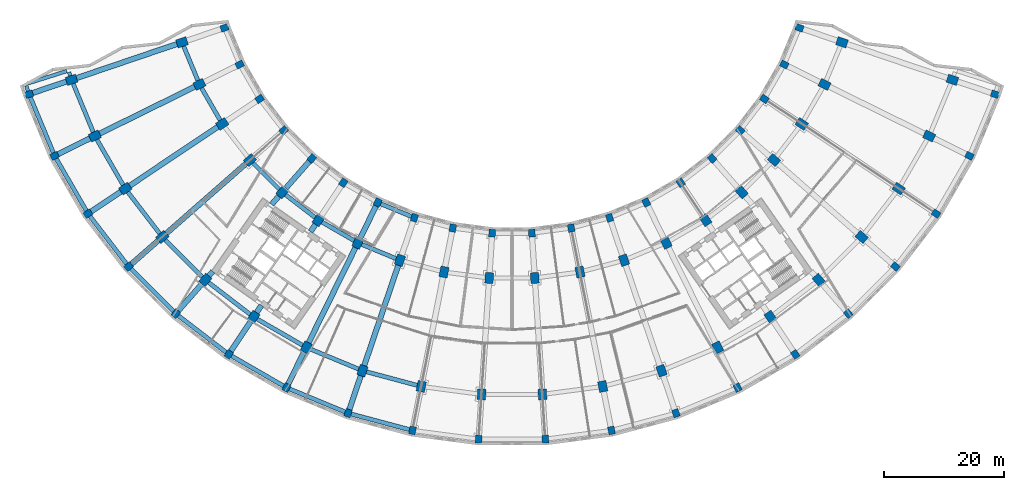
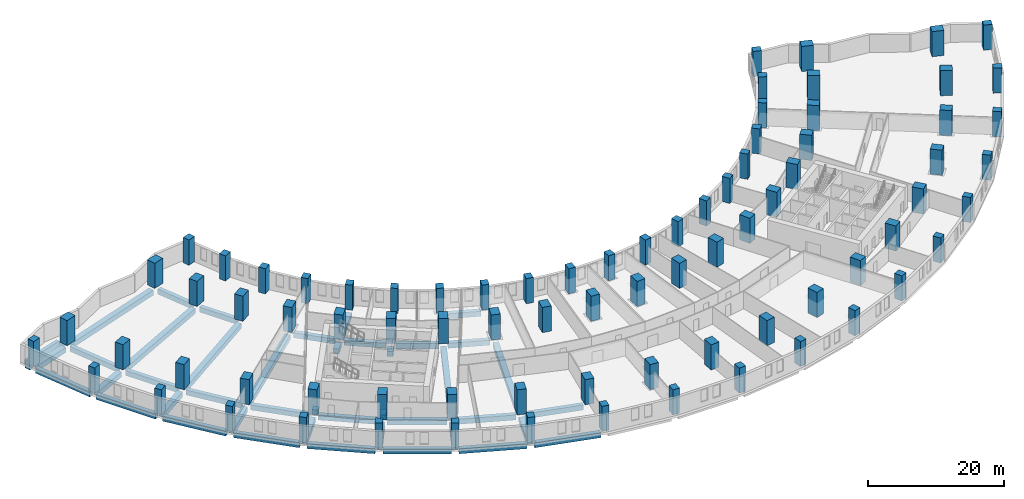
# One storey, part 1 of 20: 80 columns, 46 beams.
"""IFC4 building model written with IfcOpenShell, lengths in metres."""

from ifc_helpers import new_model, si_unit, direction, frame, origin, origin_2d, place, context, subcontext, project, spatial, rectangle, extrude, material, material_profile, profile_set, type_object, element, save


model = new_model("IFC4")

# Units and contexts
model_context = context("Model", 3, precision=1e-05, world=origin(), true_north=direction((0.0, 1.0)))
body_context = subcontext(model_context, "Body", "Model", "MODEL_VIEW")
ifc_project = project(units=[si_unit("LENGTHUNIT", "METRE"), si_unit("AREAUNIT", "SQUARE_METRE"), si_unit("VOLUMEUNIT", "CUBIC_METRE"), si_unit("PLANEANGLEUNIT", "RADIAN"), si_unit("MASSUNIT", "GRAM", prefix="KILO")], contexts=[model_context])

# Site, building, storey
site_placement = place(None, origin())
site = spatial("IfcSite", under=ifc_project, at=site_placement, CompositionType="ELEMENT")
building_placement = place(site_placement, origin())
building = spatial("IfcBuilding", under=site, at=building_placement, Name="Qamariyya Broadcast Tower", CompositionType="ELEMENT")
storey_placement = place(building_placement, frame((0.0, 0.0, 27.0)))
storey = spatial("IfcBuildingStorey", under=building, at=storey_placement, Name="L03", CompositionType="ELEMENT", Elevation=27.0)

# Columns
ifc_material_1 = material(Name="Concrete C70/85", Category="concrete")
ifc_material_profile_1 = material_profile(ifc_material_1, rectangle(XDim=1.10009765625, YDim=1.300048828125, at=origin_2d()))
ifc_profile_set_1 = profile_set([ifc_material_profile_1], Name="Concrete C70/85")
column_type_1 = type_object("IfcColumnType", Name="RC column 1100 x 1300 C70/85", PredefinedType="COLUMN", material=ifc_profile_set_1)
for number, where, z_axis, x_axis, name in (
    (1, (-48.056640625, -16.31298828125, 0.0), (0.0, 0.0, 1.0), (0.321439465303, -0.946930129495, 0.0), "Column C3 L03 A-R01"),
    (2, (-80.725830078125, -27.40283203125, 0.0), (0.0, 0.0, 1.0), (0.321439465303, -0.946930129495, 0.0), "Column C3 L03 D-R01"),
    (3, (-45.516357421875, -22.446044921875, 0.0), (0.0, 0.0, 1.0), (0.442288690219, -0.896872741533, 0.0), "Column C3 L03 A-R02"),
    (4, (-76.45849609375, -37.705078125, 0.0), (0.0, 0.0, 1.0), (0.442288690219, -0.896872741533, 0.0), "Column C3 L03 D-R02"),
    (5, (-42.197021484375, -28.195068359375, 0.0), (0.0, 0.0, 1.0), (0.55557023302, -0.831469612303, 0.0), "Column C3 L03 A-R03"),
    (6, (-70.8828125, -47.3623046875, 0.0), (0.0, 0.0, 1.0), (0.55557023302, -0.831469612303, 0.0), "Column C3 L03 D-R03"),
    (7, (-38.15576171875, -33.4619140625, 0.0), (0.0, 0.0, 1.0), (0.6593458151, -0.751839807479, 0.0), "Column C3 L03 A-R04"),
    (8, (-64.09423828125, -56.209228515625, 0.0), (0.0, 0.0, 1.0), (0.6593458151, -0.751839807479, 0.0), "Column C3 L03 D-R04"),
    (9, (-33.4619140625, -38.15576171875, 0.0), (0.0, 0.0, 1.0), (0.751839807479, -0.6593458151, 0.0), "Column C3 L03 A-R05"),
    (10, (-56.209228515625, -64.09423828125, 0.0), (0.0, 0.0, 1.0), (0.751839807479, -0.6593458151, 0.0), "Column C3 L03 D-R05"),
    (11, (-28.195068359375, -42.197021484375, 0.0), (0.0, 0.0, 1.0), (0.831469612303, -0.55557023302, 0.0), "Column C3 L03 A-R06"),
    (12, (-47.3623046875, -70.8828125, 0.0), (0.0, 0.0, 1.0), (0.831469612303, -0.55557023302, 0.0), "Column C3 L03 D-R06"),
    (13, (-22.446044921875, -45.516357421875, 0.0), (0.0, 0.0, 1.0), (0.896872741533, -0.442288690219, 0.0), "Column C3 L03 A-R07"),
    (14, (-37.705078125, -76.45849609375, 0.0), (0.0, 0.0, 1.0), (0.896872741533, -0.442288690219, 0.0), "Column C3 L03 D-R07"),
    (15, (-16.31298828125, -48.056640625, 0.0), (0.0, 0.0, 1.0), (0.946930129495, -0.321439465303, 0.0), "Column C3 L03 A-R08"),
    (16, (-27.40283203125, -80.725830078125, 0.0), (0.0, 0.0, 1.0), (0.946930129495, -0.321439465303, 0.0), "Column C3 L03 D-R08"),
    (17, (-9.90087890625, -49.77490234375, 0.0), (0.0, 0.0, 1.0), (0.980785280403, -0.195090322016, 0.0), "Column C3 L03 A-R09"),
    (18, (-16.63134765625, -83.612060546875, 0.0), (0.0, 0.0, 1.0), (0.980785280403, -0.195090322016, 0.0), "Column C3 L03 D-R09"),
    (19, (-3.319091796875, -50.641357421875, 0.0), (0.0, 0.0, 1.0), (0.997858923239, -0.06540312923, 0.0), "Column C3 L03 A-R10"),
    (20, (-5.57568359375, -85.0673828125, 0.0), (0.0, 0.0, 1.0), (0.997858923239, -0.06540312923, 0.0), "Column C3 L03 D-R10"),
    (21, (3.319091796875, -50.641357421875, 0.0), (0.0, 0.0, 1.0), (0.997858923239, 0.06540312923, 0.0), "Column C3 L03 A-R11"),
    (22, (5.57568359375, -85.0673828125, 0.0), (0.0, 0.0, 1.0), (0.997858923239, 0.06540312923, 0.0), "Column C3 L03 D-R11"),
    (23, (9.90087890625, -49.77490234375, 0.0), (0.0, 0.0, 1.0), (0.980785280403, 0.195090322016, 0.0), "Column C3 L03 A-R12"),
    (24, (16.63134765625, -83.612060546875, 0.0), (0.0, 0.0, 1.0), (0.980785280403, 0.195090322016, 0.0), "Column C3 L03 D-R12"),
    (25, (16.31298828125, -48.056640625, 0.0), (0.0, 0.0, 1.0), (0.946930129495, 0.321439465303, 0.0), "Column C3 L03 A-R13"),
    (26, (27.40283203125, -80.725830078125, 0.0), (0.0, 0.0, 1.0), (0.946930129495, 0.321439465303, 0.0), "Column C3 L03 D-R13"),
    (27, (22.446044921875, -45.516357421875, 0.0), (0.0, 0.0, 1.0), (0.896872741533, 0.442288690219, 0.0), "Column C3 L03 A-R14"),
    (28, (37.705078125, -76.45849609375, 0.0), (0.0, 0.0, 1.0), (0.896872741533, 0.442288690219, 0.0), "Column C3 L03 D-R14"),
    (29, (28.195068359375, -42.197021484375, 0.0), (0.0, 0.0, 1.0), (0.831469612303, 0.55557023302, 0.0), "Column C3 L03 A-R15"),
    (30, (47.3623046875, -70.8828125, 0.0), (0.0, 0.0, 1.0), (0.831469612303, 0.55557023302, 0.0), "Column C3 L03 D-R15"),
    (31, (33.4619140625, -38.15576171875, 0.0), (0.0, 0.0, 1.0), (0.751839807479, 0.6593458151, 0.0), "Column C3 L03 A-R16"),
    (32, (56.209228515625, -64.09423828125, 0.0), (0.0, 0.0, 1.0), (0.751839807479, 0.6593458151, 0.0), "Column C3 L03 D-R16"),
    (33, (38.15576171875, -33.4619140625, 0.0), (0.0, 0.0, 1.0), (0.6593458151, 0.751839807479, 0.0), "Column C3 L03 A-R17"),
    (34, (64.09423828125, -56.209228515625, 0.0), (0.0, 0.0, 1.0), (0.6593458151, 0.751839807479, 0.0), "Column C3 L03 D-R17"),
    (35, (42.197021484375, -28.195068359375, 0.0), (0.0, 0.0, 1.0), (0.55557023302, 0.831469612303, 0.0), "Column C3 L03 A-R18"),
    (36, (70.8828125, -47.3623046875, 0.0), (0.0, 0.0, 1.0), (0.55557023302, 0.831469612303, 0.0), "Column C3 L03 D-R18"),
    (37, (45.516357421875, -22.446044921875, 0.0), (0.0, 0.0, 1.0), (0.442288690219, 0.896872741533, 0.0), "Column C3 L03 A-R19"),
    (38, (76.45849609375, -37.705078125, 0.0), (0.0, 0.0, 1.0), (0.442288690219, 0.896872741533, 0.0), "Column C3 L03 D-R19"),
    (39, (48.056640625, -16.31298828125, 0.0), (0.0, 0.0, 1.0), (0.321439465303, 0.946930129495, 0.0), "Column C3 L03 A-R20"),
    (40, (80.725830078125, -27.40283203125, 0.0), (0.0, 0.0, 1.0), (0.321439465303, 0.946930129495, 0.0), "Column C3 L03 D-R20"),
):
    element("IfcColumn", number, at=place(storey_placement, frame(where, z_axis=z_axis, x_axis=x_axis)), inside=storey, type_object=column_type_1, Name=name, PredefinedType="COLUMN", context=body_context, shape_type="SweptSolid", body=[
        extrude(rectangle(XDim=1.10009765625, YDim=1.300048828125, at=origin_2d()), origin(), (0.0, 0.0, 1.0), 4.5),
    ])
ifc_material_profile_2 = material_profile(ifc_material_1, rectangle(XDim=1.39990234375, YDim=1.800048828125, at=origin_2d()))
ifc_profile_set_2 = profile_set([ifc_material_profile_2], Name="Concrete C70/85")
column_type_2 = type_object("IfcColumnType", Name="RC column 1400 x 1800 C70/85", PredefinedType="COLUMN", material=ifc_profile_set_2)
for number, where, z_axis, x_axis, name in (
    (41, (-55.15869140625, -18.723876953125, 0.0), (0.0, 0.0, 1.0), (0.321439465303, -0.946930129495, 0.0), "Column C4 L03 B-R01"),
    (42, (-73.623779296875, -24.991943359375, 0.0), (0.0, 0.0, 1.0), (0.321439465303, -0.946930129495, 0.0), "Column C4 L03 C-R01"),
    (43, (-52.242919921875, -25.763427734375, 0.0), (0.0, 0.0, 1.0), (0.442288690219, -0.896872741533, 0.0), "Column C4 L03 B-R02"),
    (44, (-69.73193359375, -34.387939453125, 0.0), (0.0, 0.0, 1.0), (0.442288690219, -0.896872741533, 0.0), "Column C4 L03 C-R02"),
    (45, (-48.43310546875, -32.362060546875, 0.0), (0.0, 0.0, 1.0), (0.55557023302, -0.831469612303, 0.0), "Column C4 L03 B-R03"),
    (46, (-64.646728515625, -43.195556640625, 0.0), (0.0, 0.0, 1.0), (0.55557023302, -0.831469612303, 0.0), "Column C4 L03 C-R03"),
    (47, (-43.794677734375, -38.406982421875, 0.0), (0.0, 0.0, 1.0), (0.6593458151, -0.751839807479, 0.0), "Column C4 L03 B-R04"),
    (48, (-58.45556640625, -51.26416015625, 0.0), (0.0, 0.0, 1.0), (0.6593458151, -0.751839807479, 0.0), "Column C4 L03 C-R04"),
    (49, (-38.406982421875, -43.794677734375, 0.0), (0.0, 0.0, 1.0), (0.751839807479, -0.6593458151, 0.0), "Column C4 L03 B-R05"),
    (50, (-51.26416015625, -58.45556640625, 0.0), (0.0, 0.0, 1.0), (0.751839807479, -0.6593458151, 0.0), "Column C4 L03 C-R05"),
    (51, (-32.362060546875, -48.43310546875, 0.0), (0.0, 0.0, 1.0), (0.831469612303, -0.55557023302, 0.0), "Column C4 L03 B-R06"),
    (52, (-43.195556640625, -64.646728515625, 0.0), (0.0, 0.0, 1.0), (0.831469612303, -0.55557023302, 0.0), "Column C4 L03 C-R06"),
    (53, (-25.763427734375, -52.242919921875, 0.0), (0.0, 0.0, 1.0), (0.896872741533, -0.442288690219, 0.0), "Column C4 L03 B-R07"),
    (54, (-34.387939453125, -69.73193359375, 0.0), (0.0, 0.0, 1.0), (0.896872741533, -0.442288690219, 0.0), "Column C4 L03 C-R07"),
    (55, (-18.723876953125, -55.15869140625, 0.0), (0.0, 0.0, 1.0), (0.946930129495, -0.321439465303, 0.0), "Column C4 L03 B-R08"),
    (56, (-24.991943359375, -73.623779296875, 0.0), (0.0, 0.0, 1.0), (0.946930129495, -0.321439465303, 0.0), "Column C4 L03 C-R08"),
    (57, (-11.364013671875, -57.130859375, 0.0), (0.0, 0.0, 1.0), (0.980785280403, -0.195090322016, 0.0), "Column C4 L03 B-R09"),
    (58, (-15.168212890625, -76.256103515625, 0.0), (0.0, 0.0, 1.0), (0.980785280403, -0.195090322016, 0.0), "Column C4 L03 C-R09"),
    (59, (-3.809814453125, -58.125244140625, 0.0), (0.0, 0.0, 1.0), (0.997858923239, -0.06540312923, 0.0), "Column C4 L03 B-R10"),
    (60, (-5.085205078125, -77.58349609375, 0.0), (0.0, 0.0, 1.0), (0.997858923239, -0.06540312923, 0.0), "Column C4 L03 C-R10"),
    (61, (3.809814453125, -58.125244140625, 0.0), (0.0, 0.0, 1.0), (0.997858923239, 0.06540312923, 0.0), "Column C4 L03 B-R11"),
    (62, (5.085205078125, -77.58349609375, 0.0), (0.0, 0.0, 1.0), (0.997858923239, 0.06540312923, 0.0), "Column C4 L03 C-R11"),
    (63, (11.364013671875, -57.130859375, 0.0), (0.0, 0.0, 1.0), (0.980785280403, 0.195090322016, 0.0), "Column C4 L03 B-R12"),
    (64, (15.168212890625, -76.256103515625, 0.0), (0.0, 0.0, 1.0), (0.980785280403, 0.195090322016, 0.0), "Column C4 L03 C-R12"),
    (65, (18.723876953125, -55.15869140625, 0.0), (0.0, 0.0, 1.0), (0.946930129495, 0.321439465303, 0.0), "Column C4 L03 B-R13"),
    (66, (24.991943359375, -73.623779296875, 0.0), (0.0, 0.0, 1.0), (0.946930129495, 0.321439465303, 0.0), "Column C4 L03 C-R13"),
    (67, (25.763427734375, -52.242919921875, 0.0), (0.0, 0.0, 1.0), (0.896872741533, 0.442288690219, 0.0), "Column C4 L03 B-R14"),
    (68, (34.387939453125, -69.73193359375, 0.0), (0.0, 0.0, 1.0), (0.896872741533, 0.442288690219, 0.0), "Column C4 L03 C-R14"),
    (69, (32.362060546875, -48.43310546875, 0.0), (0.0, 0.0, 1.0), (0.831469612303, 0.55557023302, 0.0), "Column C4 L03 B-R15"),
    (70, (43.195556640625, -64.646728515625, 0.0), (0.0, 0.0, 1.0), (0.831469612303, 0.55557023302, 0.0), "Column C4 L03 C-R15"),
    (71, (38.406982421875, -43.794677734375, 0.0), (0.0, 0.0, 1.0), (0.751839807479, 0.6593458151, 0.0), "Column C4 L03 B-R16"),
    (72, (51.26416015625, -58.45556640625, 0.0), (0.0, 0.0, 1.0), (0.751839807479, 0.6593458151, 0.0), "Column C4 L03 C-R16"),
    (73, (43.794677734375, -38.406982421875, 0.0), (0.0, 0.0, 1.0), (0.6593458151, 0.751839807479, 0.0), "Column C4 L03 B-R17"),
    (74, (58.45556640625, -51.26416015625, 0.0), (0.0, 0.0, 1.0), (0.6593458151, 0.751839807479, 0.0), "Column C4 L03 C-R17"),
    (75, (48.43310546875, -32.362060546875, 0.0), (0.0, 0.0, 1.0), (0.55557023302, 0.831469612303, 0.0), "Column C4 L03 B-R18"),
    (76, (64.646728515625, -43.195556640625, 0.0), (0.0, 0.0, 1.0), (0.55557023302, 0.831469612303, 0.0), "Column C4 L03 C-R18"),
    (77, (52.242919921875, -25.763427734375, 0.0), (0.0, 0.0, 1.0), (0.442288690219, 0.896872741533, 0.0), "Column C4 L03 B-R19"),
    (78, (69.73193359375, -34.387939453125, 0.0), (0.0, 0.0, 1.0), (0.442288690219, 0.896872741533, 0.0), "Column C4 L03 C-R19"),
    (79, (55.15869140625, -18.723876953125, 0.0), (0.0, 0.0, 1.0), (0.321439465303, 0.946930129495, 0.0), "Column C4 L03 B-R20"),
    (80, (73.623779296875, -24.991943359375, 0.0), (0.0, 0.0, 1.0), (0.321439465303, 0.946930129495, 0.0), "Column C4 L03 C-R20"),
):
    element("IfcColumn", number, at=place(storey_placement, frame(where, z_axis=z_axis, x_axis=x_axis)), inside=storey, type_object=column_type_2, Name=name, PredefinedType="COLUMN", context=body_context, shape_type="SweptSolid", body=[
        extrude(rectangle(XDim=1.39990234375, YDim=1.800048828125, at=origin_2d()), origin(), (0.0, 0.0, 1.0), 4.5),
    ])

# Beams
ifc_material_2 = material(Name="Concrete C50/60", Category="concrete")
ifc_material_profile_3 = material_profile(ifc_material_2, rectangle(XDim=0.699951171875, YDim=0.89990234375, at=origin_2d()))
ifc_profile_set_3 = profile_set([ifc_material_profile_3], Name="Concrete C50/60")
beam_type_1 = type_object("IfcBeamType", Name="RC edge beam 700 x 900 C50/60", PredefinedType="SPANDREL", material=ifc_profile_set_3)
beam_1_placement = place(storey_placement, frame((-21.93701171875, -45.727294921875, -0.85009765625), z_axis=(0.92389160204, -0.382654292645, 0.0), x_axis=(0.382654292645, 0.92389160204, 0.0)))
element("IfcBeam", 81, at=beam_1_placement, inside=storey, type_object=beam_type_1, Name="Edge beam B2 L03 A R07-R08", PredefinedType="SPANDREL", context=body_context, shape_type="SweptSolid", body=[
    extrude(rectangle(XDim=0.699951171875, YDim=0.89990234375, at=origin_2d()), origin(), (0.0, 0.0, 1.0), 5.5361328125),
])
for number, where, z_axis, x_axis, name in (
    (82, (-54.89013671875, -19.3720703125, -0.85009765625), (0.38268477858, -0.92387897489, 0.0), (0.92387897489, 0.38268477858, 0.0), "Edge beam B2 L03 B R01-R02"),
    (83, (-51.89208984375, -26.370849609375, -0.85009765625), (0.499995558535, -0.86602796805, 0.0), (0.86602796805, 0.499995558535, 0.0), "Edge beam B2 L03 B R02-R03"),
):
    element("IfcBeam", number, at=place(storey_placement, frame(where, z_axis=z_axis, x_axis=x_axis)), inside=storey, type_object=beam_type_1, Name=name, PredefinedType="SPANDREL", context=body_context, shape_type="SweptSolid", body=[
        extrude(rectangle(XDim=0.699951171875, YDim=0.89990234375, at=origin_2d()), origin(), (0.0, 0.0, 1.0), 6.21630859375),
    ])
for number, where, z_axis, x_axis, name in (
    (84, (-43.298583984375, -38.90283203125, -0.85009765625), (0.707106781187, -0.707106781187, 0.0), (0.707106781187, 0.707106781187, 0.0), "Edge beam B2 L03 B R04-R05"),
    (85, (-37.850341796875, -44.2216796875, -0.85009765625), (0.793349024913, -0.608767052878, 0.0), (0.608767052878, 0.793349024913, 0.0), "Edge beam B2 L03 B R05-R06"),
):
    element("IfcBeam", number, at=place(storey_placement, frame(where, z_axis=z_axis, x_axis=x_axis)), inside=storey, type_object=beam_type_1, Name=name, PredefinedType="SPANDREL", context=body_context, shape_type="SweptSolid", body=[
        extrude(rectangle(XDim=0.699951171875, YDim=0.89990234375, at=origin_2d()), origin(), (0.0, 0.0, 1.0), 6.216552734375),
    ])
for number, where, z_axis, x_axis, name in (
    (86, (-31.75439453125, -48.783935546875, -0.85009765625), (0.86602796805, -0.499995558535, 0.0), (0.499995558535, 0.86602796805, 0.0), "Edge beam B2 L03 B R06-R07"),
    (87, (-25.115234375, -52.51123046875, -0.85009765625), (0.92387897489, -0.38268477858, 0.0), (0.38268477858, 0.92387897489, 0.0), "Edge beam B2 L03 B R07-R08"),
):
    element("IfcBeam", number, at=place(storey_placement, frame(where, z_axis=z_axis, x_axis=x_axis)), inside=storey, type_object=beam_type_1, Name=name, PredefinedType="SPANDREL", context=body_context, shape_type="SweptSolid", body=[
        extrude(rectangle(XDim=0.699951171875, YDim=0.89990234375, at=origin_2d()), origin(), (0.0, 0.0, 1.0), 6.21630859375),
    ])
beam_2_placement = place(storey_placement, frame((-73.35546875, -25.64013671875, -0.85009765625), z_axis=(0.38270841035, -0.923869185896, 0.0), x_axis=(0.923869185896, 0.38270841035, 0.0)))
element("IfcBeam", 88, at=beam_2_placement, inside=storey, type_object=beam_type_1, Name="Edge beam B2 L03 C R01-R02", PredefinedType="SPANDREL", context=body_context, shape_type="SweptSolid", body=[
    extrude(rectangle(XDim=0.699951171875, YDim=0.89990234375, at=origin_2d()), origin(), (0.0, 0.0, 1.0), 8.76708984375),
])
beam_3_placement = place(storey_placement, frame((-69.381103515625, -34.995361328125, -0.85009765625), z_axis=(0.499987607361, -0.86603255856, 0.0), x_axis=(0.86603255856, 0.499987607361, 0.0)))
element("IfcBeam", 89, at=beam_3_placement, inside=storey, type_object=beam_type_1, Name="Edge beam B2 L03 C R02-R03", PredefinedType="SPANDREL", context=body_context, shape_type="SweptSolid", body=[
    extrude(rectangle(XDim=0.699951171875, YDim=0.89990234375, at=origin_2d()), origin(), (0.0, 0.0, 1.0), 8.767333984375),
])
for number, where, z_axis, x_axis, name in (
    (90, (-64.2197265625, -43.752197265625, -0.85009765625), (0.608772321187, -0.79334498231, 0.0), (0.79334498231, 0.608772321187, 0.0), "Edge beam B2 L03 C R03-R04"),
    (91, (-57.95947265625, -51.76025390625, -0.85009765625), (0.707106781187, -0.707106781187, 0.0), (0.707106781187, 0.707106781187, 0.0), "Edge beam B2 L03 C R04-R05"),
    (92, (-50.70751953125, -58.882568359375, -0.85009765625), (0.79334498231, -0.608772321187, 0.0), (0.608772321187, 0.79334498231, 0.0), "Edge beam B2 L03 C R05-R06"),
):
    element("IfcBeam", number, at=place(storey_placement, frame(where, z_axis=z_axis, x_axis=x_axis)), inside=storey, type_object=beam_type_1, Name=name, PredefinedType="SPANDREL", context=body_context, shape_type="SweptSolid", body=[
        extrude(rectangle(XDim=0.699951171875, YDim=0.89990234375, at=origin_2d()), origin(), (0.0, 0.0, 1.0), 8.76708984375),
    ])
beam_4_placement = place(storey_placement, frame((-42.588134765625, -64.99755859375, -0.85009765625), z_axis=(0.86603255856, -0.499987607361, 0.0), x_axis=(0.499987607361, 0.86603255856, 0.0)))
element("IfcBeam", 93, at=beam_4_placement, inside=storey, type_object=beam_type_1, Name="Edge beam B2 L03 C R06-R07", PredefinedType="SPANDREL", context=body_context, shape_type="SweptSolid", body=[
    extrude(rectangle(XDim=0.699951171875, YDim=0.89990234375, at=origin_2d()), origin(), (0.0, 0.0, 1.0), 8.767333984375),
])
for number, where, z_axis, x_axis, name in (
    (94, (-33.73974609375, -70.000244140625, -0.85009765625), (0.923869185896, -0.38270841035, 0.0), (0.38270841035, 0.923869185896, 0.0), "Edge beam B2 L03 C R07-R08"),
    (95, (-24.314208984375, -73.805419921875, -0.85009765625), (0.965926422845, -0.258816818714, 0.0), (0.258816818714, 0.965926422845, 0.0), "Edge beam B2 L03 C R08-R09"),
):
    element("IfcBeam", number, at=place(storey_placement, frame(where, z_axis=z_axis, x_axis=x_axis)), inside=storey, type_object=beam_type_1, Name=name, PredefinedType="SPANDREL", context=body_context, shape_type="SweptSolid", body=[
        extrude(rectangle(XDim=0.699951171875, YDim=0.89990234375, at=origin_2d()), origin(), (0.0, 0.0, 1.0), 8.76708984375),
    ])
for number, where, z_axis, x_axis, name in (
    (96, (-80.514892578125, -27.911865234375, -0.85009765625), (0.382677229034, -0.923882101991, 0.0), (0.923882101991, 0.382677229034, 0.0), "Edge beam B2 L03 D R01-R02"),
    (97, (-76.182861328125, -38.182373046875, -0.85009765625), (0.499995851058, -0.866027799164, 0.0), (0.866027799164, 0.499995851058, 0.0), "Edge beam B2 L03 D R02-R03"),
):
    element("IfcBeam", number, at=place(storey_placement, frame(where, z_axis=z_axis, x_axis=x_axis)), inside=storey, type_object=beam_type_1, Name=name, PredefinedType="SPANDREL", context=body_context, shape_type="SweptSolid", body=[
        extrude(rectangle(XDim=0.699951171875, YDim=0.89990234375, at=origin_2d()), origin(), (0.0, 0.0, 1.0), 10.048828125),
    ])
for number, where, z_axis, x_axis, name in (
    (98, (-70.54736328125, -47.799560546875, -0.85009765625), (0.608760468816, -0.793354077072, 0.0), (0.793354077072, 0.608760468816, 0.0), "Edge beam B2 L03 D R03-R04"),
    (99, (-63.70458984375, -56.598876953125, -0.85009765625), (0.707106781187, -0.707106781187, 0.0), (0.707106781187, 0.707106781187, 0.0), "Edge beam B2 L03 D R04-R05"),
    (100, (-55.77197265625, -64.429931640625, -0.85009765625), (0.793354077072, -0.608760468816, 0.0), (0.608760468816, 0.793354077072, 0.0), "Edge beam B2 L03 D R05-R06"),
):
    element("IfcBeam", number, at=place(storey_placement, frame(where, z_axis=z_axis, x_axis=x_axis)), inside=storey, type_object=beam_type_1, Name=name, PredefinedType="SPANDREL", context=body_context, shape_type="SweptSolid", body=[
        extrude(rectangle(XDim=0.699951171875, YDim=0.89990234375, at=origin_2d()), origin(), (0.0, 0.0, 1.0), 10.049072265625),
    ])
for number, where, z_axis, x_axis, name in (
    (101, (-46.885009765625, -71.158447265625, -0.85009765625), (0.866027799164, -0.499995851058, 0.0), (0.499995851058, 0.866027799164, 0.0), "Edge beam B2 L03 D R06-R07"),
    (102, (-37.19580078125, -76.66943359375, -0.85009765625), (0.923882101991, -0.382677229034, 0.0), (0.382677229034, 0.923882101991, 0.0), "Edge beam B2 L03 D R07-R08"),
    (103, (-26.870361328125, -80.868408203125, -0.85009765625), (0.96592657939, -0.258816234475, 0.0), (0.258816234475, 0.96592657939, 0.0), "Edge beam B2 L03 D R08-R09"),
):
    element("IfcBeam", number, at=place(storey_placement, frame(where, z_axis=z_axis, x_axis=x_axis)), inside=storey, type_object=beam_type_1, Name=name, PredefinedType="SPANDREL", context=body_context, shape_type="SweptSolid", body=[
        extrude(rectangle(XDim=0.699951171875, YDim=0.89990234375, at=origin_2d()), origin(), (0.0, 0.0, 1.0), 10.048828125),
    ])
ifc_material_profile_4 = material_profile(ifc_material_2, rectangle(XDim=0.60009765625, YDim=0.89990234375, at=origin_2d()))
ifc_profile_set_4 = profile_set([ifc_material_profile_4], Name="Concrete C50/60")
beam_type_2 = type_object("IfcBeamType", Name="RC horn beam 600 x 900 C50/60", PredefinedType="BEAM", material=ifc_profile_set_4)
beam_5_placement = place(storey_placement, frame((-73.841796875, -24.32666015625, -0.85009765625), z_axis=(-0.311677221784, 0.95018803898, 0.0), x_axis=(-0.95018803898, -0.311677221784, 0.0)))
element("IfcBeam", 104, at=beam_5_placement, inside=storey, type_object=beam_type_2, Name="Horn beam B3 L03 W C-R01", PredefinedType="BEAM", context=body_context, shape_type="SweptSolid", body=[
    extrude(rectangle(XDim=0.60009765625, YDim=0.89990234375, at=origin_2d()), origin(), (0.0, 0.0, 1.0), 0.628173828125),
])
beam_6_placement = place(storey_placement, frame((-80.897216796875, -26.880126953125, -0.85009765625), z_axis=(-0.31136908678, 0.95028905697, 0.0), x_axis=(-0.95028905697, -0.31136908678, 0.0)))
element("IfcBeam", 105, at=beam_6_placement, inside=storey, type_object=beam_type_2, Name="Horn beam B3 L03 W D-R01", PredefinedType="BEAM", context=body_context, shape_type="SweptSolid", body=[
    extrude(rectangle(XDim=0.60009765625, YDim=0.89990234375, at=origin_2d()), origin(), (0.0, 0.0, 1.0), 0.935302734375),
])
ifc_material_profile_5 = material_profile(ifc_material_2, rectangle(XDim=0.60009765625, YDim=0.89990234375, at=origin_2d()))
ifc_profile_set_5 = profile_set([ifc_material_profile_5], Name="Concrete C50/60")
beam_type_3 = type_object("IfcBeamType", Name="RC horn cap beam 600 x 900 C50/60", PredefinedType="BEAM", material=ifc_profile_set_5)
beam_7_placement = place(storey_placement, frame((-74.4169921875, -23.53515625, -0.85009765625), z_axis=(-0.953456380288, -0.301530978321, 0.0), x_axis=(0.301530978321, -0.953456380288, 0.0)))
element("IfcBeam", 106, at=beam_7_placement, inside=storey, type_object=beam_type_3, Name="Horn cap beam B4 L03 W C-D", PredefinedType="BEAM", context=body_context, shape_type="SweptSolid", body=[
    extrude(rectangle(XDim=0.60009765625, YDim=0.89990234375, at=origin_2d()), origin(), (0.0, 0.0, 1.0), 6.89990234375),
])
ifc_material_profile_6 = material_profile(ifc_material_2, rectangle(XDim=0.89990234375, YDim=0.89990234375, at=origin_2d()))
ifc_profile_set_6 = profile_set([ifc_material_profile_6], Name="Concrete C50/60")
beam_type_4 = type_object("IfcBeamType", Name="RC radial beam 900 x 900 C50/60", PredefinedType="BEAM", material=ifc_profile_set_6)
beam_8_placement = place(storey_placement, frame((-56.010986328125, -19.01318359375, -0.85009765625), z_axis=(-0.946929601856, -0.321441019674, 0.0), x_axis=(0.321441019674, -0.946929601856, 0.0)))
element("IfcBeam", 107, at=beam_8_placement, inside=storey, type_object=beam_type_4, Name="Radial beam B1 L03 R01 B-C", PredefinedType="BEAM", context=body_context, shape_type="SweptSolid", body=[
    extrude(rectangle(XDim=0.89990234375, YDim=0.89990234375, at=origin_2d()), origin(), (0.0, 0.0, 1.0), 17.699951171875),
])
beam_9_placement = place(storey_placement, frame((-74.47607421875, -25.28125, -0.85009765625), z_axis=(-0.946929197619, -0.32144221051, 0.0), x_axis=(0.32144221051, -0.946929197619, 0.0)))
element("IfcBeam", 108, at=beam_9_placement, inside=storey, type_object=beam_type_4, Name="Radial beam B1 L03 R01 C-D", PredefinedType="BEAM", context=body_context, shape_type="SweptSolid", body=[
    extrude(rectangle(XDim=0.89990234375, YDim=0.89990234375, at=origin_2d()), origin(), (0.0, 0.0, 1.0), 5.949951171875),
])
beam_10_placement = place(storey_placement, frame((-53.050048828125, -26.161376953125, -0.85009765625), z_axis=(-0.896868921808, -0.442296435771, 0.0), x_axis=(0.442296435771, -0.896868921808, 0.0)))
element("IfcBeam", 109, at=beam_10_placement, inside=storey, type_object=beam_type_4, Name="Radial beam B1 L03 R02 B-C", PredefinedType="BEAM", context=body_context, shape_type="SweptSolid", body=[
    extrude(rectangle(XDim=0.89990234375, YDim=0.89990234375, at=origin_2d()), origin(), (0.0, 0.0, 1.0), 17.699951171875),
])
beam_11_placement = place(storey_placement, frame((-70.5390625, -34.785888671875, -0.85009765625), z_axis=(-0.896859276255, -0.442315994054, 0.0), x_axis=(0.442315994054, -0.896859276255, 0.0)))
element("IfcBeam", 110, at=beam_11_placement, inside=storey, type_object=beam_type_4, Name="Radial beam B1 L03 R02 C-D", PredefinedType="BEAM", context=body_context, shape_type="SweptSolid", body=[
    extrude(rectangle(XDim=0.89990234375, YDim=0.89990234375, at=origin_2d()), origin(), (0.0, 0.0, 1.0), 5.9501953125),
])
beam_12_placement = place(storey_placement, frame((-49.181396484375, -32.862060546875, -0.85009765625), z_axis=(-0.831472648212, -0.555565689433, 0.0), x_axis=(0.555565689433, -0.831472648212, 0.0)))
element("IfcBeam", 111, at=beam_12_placement, inside=storey, type_object=beam_type_4, Name="Radial beam B1 L03 R03 B-C", PredefinedType="BEAM", context=body_context, shape_type="SweptSolid", body=[
    extrude(rectangle(XDim=0.89990234375, YDim=0.89990234375, at=origin_2d()), origin(), (0.0, 0.0, 1.0), 17.699951171875),
])
beam_13_placement = place(storey_placement, frame((-65.39501953125, -43.695556640625, -0.85009765625), z_axis=(-0.831469080044, -0.555571029599, 0.0), x_axis=(0.555571029599, -0.831469080044, 0.0)))
element("IfcBeam", 112, at=beam_13_placement, inside=storey, type_object=beam_type_4, Name="Radial beam B1 L03 R03 C-D", PredefinedType="BEAM", context=body_context, shape_type="SweptSolid", body=[
    extrude(rectangle(XDim=0.89990234375, YDim=0.89990234375, at=origin_2d()), origin(), (0.0, 0.0, 1.0), 5.949951171875),
])
beam_14_placement = place(storey_placement, frame((-44.471435546875, -39.000244140625, -0.85009765625), z_axis=(-0.751835404461, -0.659350835746, 0.0), x_axis=(0.659350835746, -0.751835404461, 0.0)))
element("IfcBeam", 113, at=beam_14_placement, inside=storey, type_object=beam_type_4, Name="Radial beam B1 L03 R04 B-C", PredefinedType="BEAM", context=body_context, shape_type="SweptSolid", body=[
    extrude(rectangle(XDim=0.89990234375, YDim=0.89990234375, at=origin_2d()), origin(), (0.0, 0.0, 1.0), 17.699951171875),
])
beam_15_placement = place(storey_placement, frame((-59.132080078125, -51.857666015625, -0.85009765625), z_axis=(-0.75185438517, -0.659329192059, 0.0), x_axis=(0.659329192059, -0.75185438517, 0.0)))
element("IfcBeam", 114, at=beam_15_placement, inside=storey, type_object=beam_type_4, Name="Radial beam B1 L03 R04 C-D", PredefinedType="BEAM", context=body_context, shape_type="SweptSolid", body=[
    extrude(rectangle(XDim=0.89990234375, YDim=0.89990234375, at=origin_2d()), origin(), (0.0, 0.0, 1.0), 5.9501953125),
])
beam_16_placement = place(storey_placement, frame((-33.890380859375, -38.64453125, -0.85009765625), z_axis=(-0.659349532377, -0.751836547498, 0.0), x_axis=(0.751836547498, -0.659349532377, 0.0)))
element("IfcBeam", 115, at=beam_16_placement, inside=storey, type_object=beam_type_4, Name="Radial beam B1 L03 R05 A-B", PredefinedType="BEAM", context=body_context, shape_type="SweptSolid", body=[
    extrude(rectangle(XDim=0.89990234375, YDim=0.89990234375, at=origin_2d()), origin(), (0.0, 0.0, 1.0), 5.949951171875),
])
beam_17_placement = place(storey_placement, frame((-39.000244140625, -44.471435546875, -0.85009765625), z_axis=(-0.65939107141, -0.751800116351, 0.0), x_axis=(0.751800116351, -0.65939107141, 0.0)))
element("IfcBeam", 116, at=beam_17_placement, inside=storey, type_object=beam_type_4, Name="Radial beam B1 L03 R05 B-C", PredefinedType="BEAM", context=body_context, shape_type="SweptSolid", body=[
    extrude(rectangle(XDim=0.89990234375, YDim=0.89990234375, at=origin_2d()), origin(), (0.0, 0.0, 1.0), 1.8125),
])
beam_18_placement = place(storey_placement, frame((-50.011962890625, -57.027587890625, -0.85009765625), z_axis=(-0.659282746956, -0.751895112077, 0.0), x_axis=(0.751895112077, -0.659282746956, 0.0)))
element("IfcBeam", 117, at=beam_18_placement, inside=storey, type_object=beam_type_4, Name="Radial beam B1 L03 R05 B-C", PredefinedType="BEAM", context=body_context, shape_type="SweptSolid", body=[
    extrude(rectangle(XDim=0.89990234375, YDim=0.89990234375, at=origin_2d()), origin(), (0.0, 0.0, 1.0), 0.9990234375),
])
beam_19_placement = place(storey_placement, frame((-51.857666015625, -59.132080078125, -0.85009765625), z_axis=(-0.659329192059, -0.75185438517, 0.0), x_axis=(0.75185438517, -0.659329192059, 0.0)))
element("IfcBeam", 118, at=beam_19_placement, inside=storey, type_object=beam_type_4, Name="Radial beam B1 L03 R05 C-D", PredefinedType="BEAM", context=body_context, shape_type="SweptSolid", body=[
    extrude(rectangle(XDim=0.89990234375, YDim=0.89990234375, at=origin_2d()), origin(), (0.0, 0.0, 1.0), 5.9501953125),
])
beam_20_placement = place(storey_placement, frame((-32.862060546875, -49.181396484375, -0.85009765625), z_axis=(-0.555469378272, -0.831536992443, 0.0), x_axis=(0.831536992443, -0.555469378272, 0.0)))
element("IfcBeam", 119, at=beam_20_placement, inside=storey, type_object=beam_type_4, Name="Radial beam B1 L03 R06 B-C", PredefinedType="BEAM", context=body_context, shape_type="SweptSolid", body=[
    extrude(rectangle(XDim=0.89990234375, YDim=0.89990234375, at=origin_2d()), origin(), (0.0, 0.0, 1.0), 1.464599609375),
])
beam_21_placement = place(storey_placement, frame((-41.89990234375, -62.707763671875, -0.85009765625), z_axis=(-0.555604740558, -0.831446554067, 0.0), x_axis=(0.831446554067, -0.555604740558, 0.0)))
element("IfcBeam", 120, at=beam_21_placement, inside=storey, type_object=beam_type_4, Name="Radial beam B1 L03 R06 B-C", PredefinedType="BEAM", context=body_context, shape_type="SweptSolid", body=[
    extrude(rectangle(XDim=0.89990234375, YDim=0.89990234375, at=origin_2d()), origin(), (0.0, 0.0, 1.0), 1.43212890625),
])
beam_22_placement = place(storey_placement, frame((-43.695556640625, -65.39501953125, -0.85009765625), z_axis=(-0.555571029599, -0.831469080044, 0.0), x_axis=(0.831469080044, -0.555571029599, 0.0)))
element("IfcBeam", 121, at=beam_22_placement, inside=storey, type_object=beam_type_4, Name="Radial beam B1 L03 R06 C-D", PredefinedType="BEAM", context=body_context, shape_type="SweptSolid", body=[
    extrude(rectangle(XDim=0.89990234375, YDim=0.89990234375, at=origin_2d()), origin(), (0.0, 0.0, 1.0), 5.949951171875),
])
beam_23_placement = place(storey_placement, frame((-22.733642578125, -46.099365234375, -0.85009765625), z_axis=(-0.442299266236, -0.896867525941, 0.0), x_axis=(0.896867525941, -0.442299266236, 0.0)))
element("IfcBeam", 122, at=beam_23_placement, inside=storey, type_object=beam_type_4, Name="Radial beam B1 L03 R07 A-B", PredefinedType="BEAM", context=body_context, shape_type="SweptSolid", body=[
    extrude(rectangle(XDim=0.89990234375, YDim=0.89990234375, at=origin_2d()), origin(), (0.0, 0.0, 1.0), 5.94970703125),
])
beam_24_placement = place(storey_placement, frame((-26.161376953125, -53.050048828125, -0.85009765625), z_axis=(-0.442296435771, -0.896868921808, 0.0), x_axis=(0.896868921808, -0.442296435771, 0.0)))
element("IfcBeam", 123, at=beam_24_placement, inside=storey, type_object=beam_type_4, Name="Radial beam B1 L03 R07 B-C", PredefinedType="BEAM", context=body_context, shape_type="SweptSolid", body=[
    extrude(rectangle(XDim=0.89990234375, YDim=0.89990234375, at=origin_2d()), origin(), (0.0, 0.0, 1.0), 17.699951171875),
])
beam_25_placement = place(storey_placement, frame((-34.785888671875, -70.5390625, -0.85009765625), z_axis=(-0.442315994054, -0.896859276255, 0.0), x_axis=(0.896859276255, -0.442315994054, 0.0)))
element("IfcBeam", 124, at=beam_25_placement, inside=storey, type_object=beam_type_4, Name="Radial beam B1 L03 R07 C-D", PredefinedType="BEAM", context=body_context, shape_type="SweptSolid", body=[
    extrude(rectangle(XDim=0.89990234375, YDim=0.89990234375, at=origin_2d()), origin(), (0.0, 0.0, 1.0), 5.9501953125),
])
beam_26_placement = place(storey_placement, frame((-19.01318359375, -56.010986328125, -0.85009765625), z_axis=(-0.321441019674, -0.946929601856, 0.0), x_axis=(0.946929601856, -0.321441019674, 0.0)))
element("IfcBeam", 125, at=beam_26_placement, inside=storey, type_object=beam_type_4, Name="Radial beam B1 L03 R08 B-C", PredefinedType="BEAM", context=body_context, shape_type="SweptSolid", body=[
    extrude(rectangle(XDim=0.89990234375, YDim=0.89990234375, at=origin_2d()), origin(), (0.0, 0.0, 1.0), 17.699951171875),
])
beam_27_placement = place(storey_placement, frame((-25.28125, -74.47607421875, -0.85009765625), z_axis=(-0.32144221051, -0.946929197619, 0.0), x_axis=(0.946929197619, -0.32144221051, 0.0)))
element("IfcBeam", 126, at=beam_27_placement, inside=storey, type_object=beam_type_4, Name="Radial beam B1 L03 R08 C-D", PredefinedType="BEAM", context=body_context, shape_type="SweptSolid", body=[
    extrude(rectangle(XDim=0.89990234375, YDim=0.89990234375, at=origin_2d()), origin(), (0.0, 0.0, 1.0), 5.949951171875),
])

save(model, "model.ifc")
